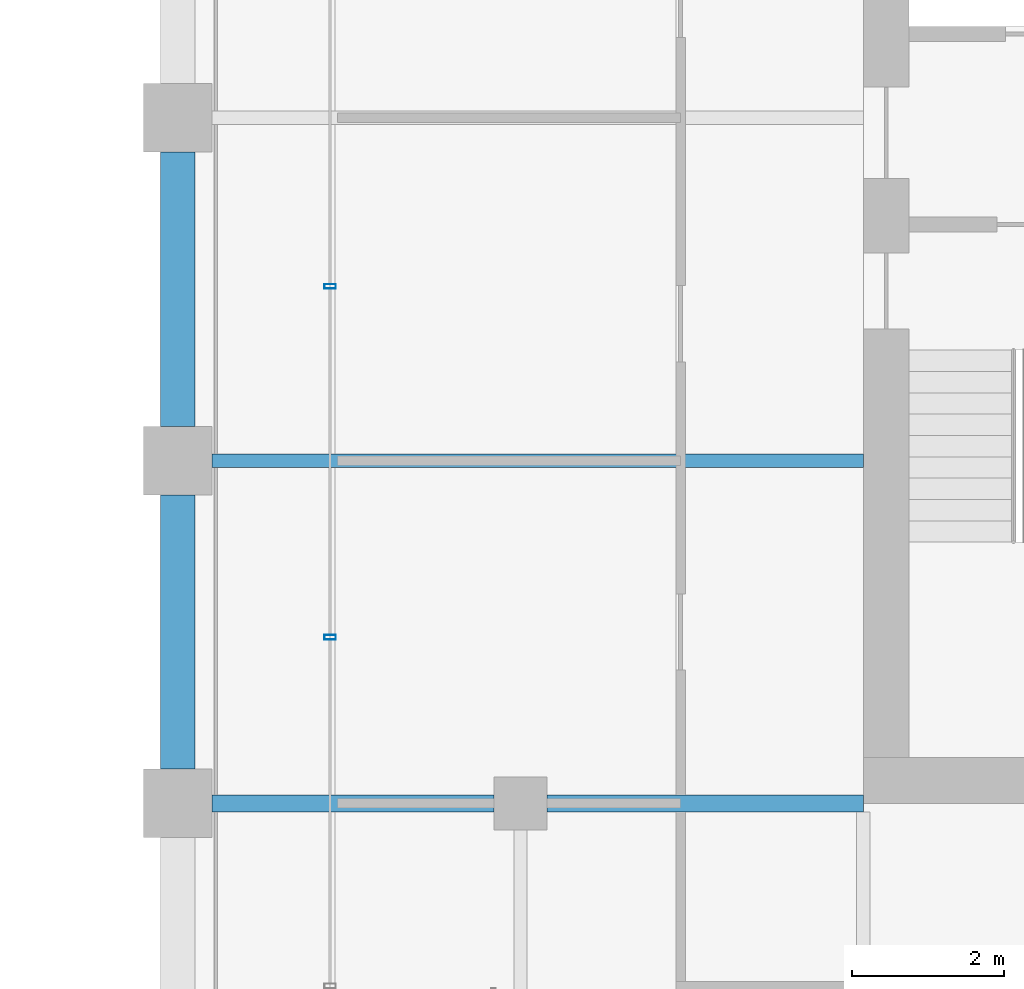
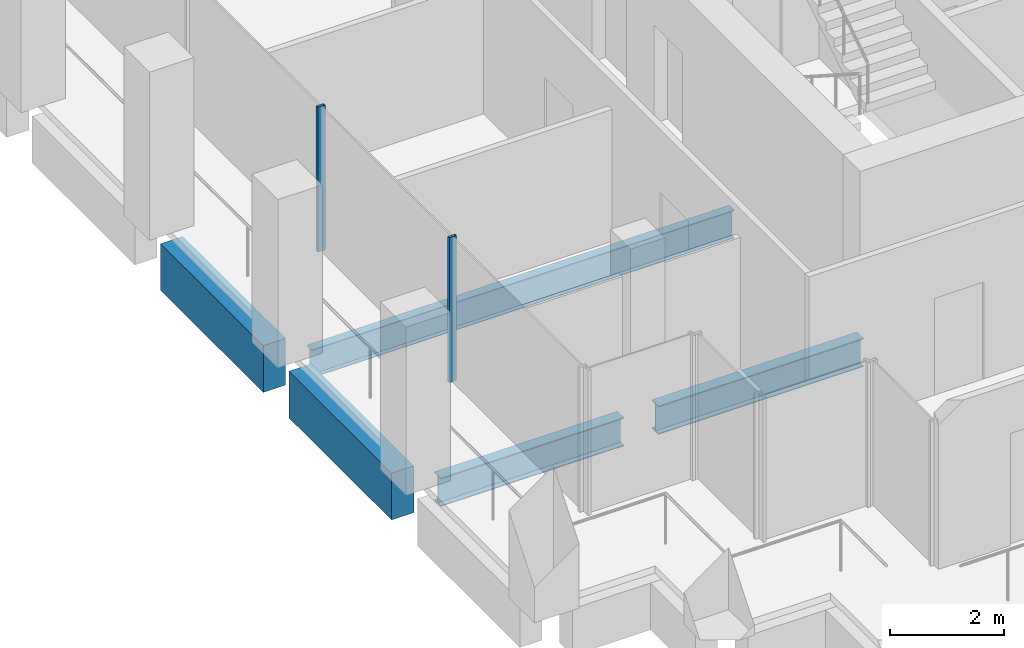
# One storey, part 30 of 40: 5 beams, 2 members, 1 element without a shape of its own.
"""IFC4 building model written with IfcOpenShell, lengths in metres."""

from ifc_helpers import new_model, si_unit, direction, frame, origin, origin_2d, place, context, subcontext, project, spatial, rectangle, hollow_rectangle, i_section, extrude, material, material_profile, profile_set, type_object, element, aggregate, save


model = new_model("IFC4")

# Units and contexts
model_context = context("Model", 3, precision=1e-05, world=origin(), true_north=direction((0.0, 1.0)))
body_context = subcontext(model_context, "Body", "Model", "MODEL_VIEW")
ifc_project = project(units=[si_unit("LENGTHUNIT", "METRE"), si_unit("AREAUNIT", "SQUARE_METRE"), si_unit("VOLUMEUNIT", "CUBIC_METRE"), si_unit("PLANEANGLEUNIT", "RADIAN"), si_unit("MASSUNIT", "GRAM", prefix="KILO")], contexts=[model_context])

# Site, building, storey
site_placement = place(None, origin())
site = spatial("IfcSite", under=ifc_project, at=site_placement, CompositionType="ELEMENT")
building_placement = place(site_placement, origin())
building = spatial("IfcBuilding", under=site, at=building_placement, Name="Altepetl Exchange Towers", CompositionType="ELEMENT")
storey_placement = place(building_placement, frame((0.0, 0.0, 176.199951171875)))
storey = spatial("IfcBuildingStorey", under=building, at=storey_placement, Name="L44", CompositionType="ELEMENT", Elevation=176.199951171875)

# Beams
ifc_material_1 = material(Name="Steel S355", Category="steel")
ifc_material_profile_1 = material_profile(ifc_material_1, i_section(OverallWidth=0.177978515625, OverallDepth=0.59912109375, WebThickness=0.010009765625, FlangeThickness=0.0126953125, at=origin_2d()), Name="W24X55")
ifc_profile_set_1 = profile_set([ifc_material_profile_1], Name="Steel S355")
beam_type_1 = type_object("IfcBeamType", Name="Floor beam W24X55", PredefinedType="BEAM", material=ifc_profile_set_1)
beam_1_placement = place(storey_placement, frame((94.949951171875, 40.5, -0.449462890625), z_axis=(1.0, 0.0, 0.0), x_axis=(0.0, 1.0, 0.0)))
element("IfcBeam", 1, at=beam_1_placement, inside=storey, type_object=beam_type_1, Name="bm:B:L44:004", PredefinedType="BEAM", context=body_context, shape_type="SweptSolid", body=[
    extrude(i_section(OverallWidth=0.177978515625, OverallDepth=0.59912109375, WebThickness=0.010009765625, FlangeThickness=0.0126953125, at=origin_2d()), origin(), (0.0, 0.0, 1.0), 8.550048828125),
])
ifc_material_profile_2 = material_profile(ifc_material_1, i_section(OverallWidth=0.22802734375, OverallDepth=0.60791015625, WebThickness=0.01123046875, FlangeThickness=0.017333984375, at=origin_2d()), Name="W24X76")
ifc_profile_set_2 = profile_set([ifc_material_profile_2], Name="Steel S355")
beam_type_2 = type_object("IfcBeamType", Name="Girder W24X76", PredefinedType="BEAM", material=ifc_profile_set_2)
beam_2_placement = place(storey_placement, frame((103.5, 36.0, -0.453857421875), z_axis=(-1.0, 0.0, 0.0), x_axis=(0.0, -1.0, 0.0)))
element("IfcBeam", 2, at=beam_2_placement, inside=storey, type_object=beam_type_2, Name="gd:B:L44:000", PredefinedType="BEAM", context=body_context, shape_type="SweptSolid", body=[
    extrude(i_section(OverallWidth=0.22802734375, OverallDepth=0.60791015625, WebThickness=0.01123046875, FlangeThickness=0.017333984375, at=origin_2d()), origin(), (0.0, 0.0, 1.0), 4.14990234375),
])
beam_3_placement = place(storey_placement, frame((98.64990234375, 36.0, -0.453857421875), z_axis=(-1.0, 0.0, 0.0), x_axis=(0.0, -1.0, 0.0)))
element("IfcBeam", 3, at=beam_3_placement, inside=storey, type_object=beam_type_2, Name="gd:B:L44:001", PredefinedType="BEAM", context=body_context, shape_type="SweptSolid", body=[
    extrude(i_section(OverallWidth=0.22802734375, OverallDepth=0.60791015625, WebThickness=0.01123046875, FlangeThickness=0.017333984375, at=origin_2d()), origin(), (0.0, 0.0, 1.0), 3.699951171875),
])

# Curtain wall, members
ifc_material_2 = material(Name="Aluminium 6063-T6 glazing", Category="aluminium")
curtain_wall_type = type_object("IfcCurtainWallType", Name="Loggia glazing system", PredefinedType="NOTDEFINED", material=ifc_material_2)
curtain_wall_placement = place(storey_placement, origin())
curtain_wall = element("IfcCurtainWall", 4, at=curtain_wall_placement, inside=storey, type_object=curtain_wall_type, Name="CW1 run", PredefinedType="NOTDEFINED")
ifc_material_3 = material(Name="Aluminium 6063-T6", Category="aluminium")
ifc_material_profile_3 = material_profile(ifc_material_3, hollow_rectangle(XDim=0.06005859375, YDim=0.14990234375, WallThickness=0.0029296875, at=origin_2d()), Name="Mullion 60x150 aluminium")
ifc_profile_set_3 = profile_set([ifc_material_profile_3], Name="Aluminium 6063-T6")
member_type = type_object("IfcMemberType", Name="Mullion 60x150 aluminium", PredefinedType="MULLION", material=ifc_profile_set_3)
member_1_placement = place(storey_placement, frame((96.5, 42.78759765625, 0.0), z_axis=(0.0, 0.0, 1.0), x_axis=(0.0, -1.0, 0.0)))
member_1 = element("IfcMember", 5, at=member_1_placement, type_object=member_type, Name="MU1 mullion", PredefinedType="MULLION", context=body_context, shape_type="SweptSolid", body=[
    extrude(hollow_rectangle(XDim=0.06005859375, YDim=0.14990234375, WallThickness=0.0029296875, at=origin_2d()), origin(), (0.0, 0.0, 1.0), 3.10009765625),
])
member_2_placement = place(storey_placement, frame((96.5, 38.18115234375, 0.0), z_axis=(0.0, 0.0, 1.0), x_axis=(0.0, -1.0, 0.0)))
member_2 = element("IfcMember", 6, at=member_2_placement, type_object=member_type, Name="MU1 mullion", PredefinedType="MULLION", context=body_context, shape_type="SweptSolid", body=[
    extrude(hollow_rectangle(XDim=0.06005859375, YDim=0.14990234375, WallThickness=0.0029296875, at=origin_2d()), origin(), (0.0, 0.0, 1.0), 3.10009765625),
])
aggregate(curtain_wall, [member_1, member_2])

# Beams
ifc_material_4 = material(Name="Concrete C50/60 precast with cantera rosa facing", Category="concrete")
ifc_material_profile_4 = material_profile(ifc_material_4, rectangle(XDim=0.449951171875, YDim=1.0, at=origin_2d()), Name="450 x 1000")
ifc_profile_set_4 = profile_set([ifc_material_profile_4], Name="Concrete C50/60 precast with cantera rosa facing")
beam_type_3 = type_object("IfcBeamType", Name="Spandrel beam 450x1000 cantera rosa", PredefinedType="SPANDREL", material=ifc_profile_set_4)
for number, where, z_axis, x_axis, name in (
    (7, (94.5, 44.550048828125, -0.64990234375), (0.0, -1.0, 0.0), (1.0, 0.0, 0.0), "sp:B:L44:017"),
    (8, (94.5, 40.050048828125, -0.64990234375), (0.0, -1.0, 0.0), (1.0, 0.0, 0.0), "sp:B:L44:018"),
):
    element("IfcBeam", number, at=place(storey_placement, frame(where, z_axis=z_axis, x_axis=x_axis)), inside=storey, type_object=beam_type_3, Name=name, PredefinedType="SPANDREL", context=body_context, shape_type="SweptSolid", body=[
        extrude(rectangle(XDim=0.449951171875, YDim=1.0, at=origin_2d()), origin(), (0.0, 0.0, 1.0), 3.60009765625),
    ])

save(model, "model.ifc")
